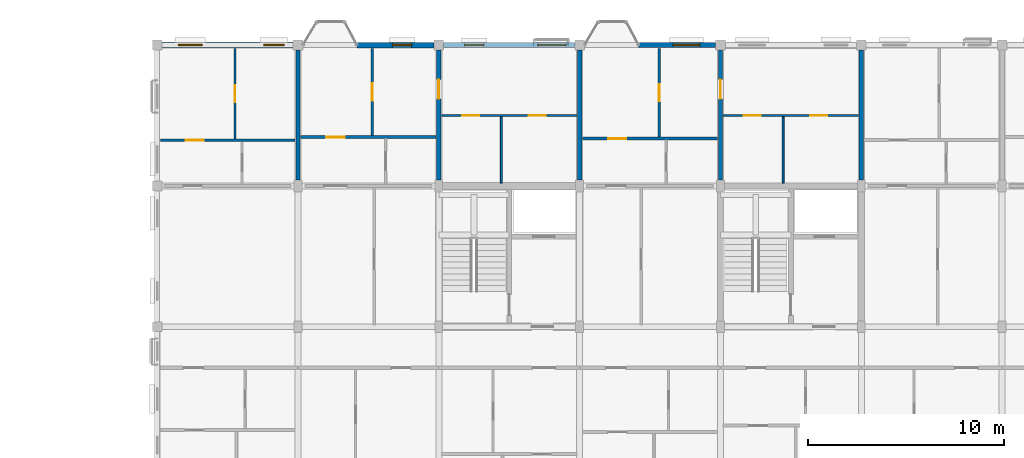
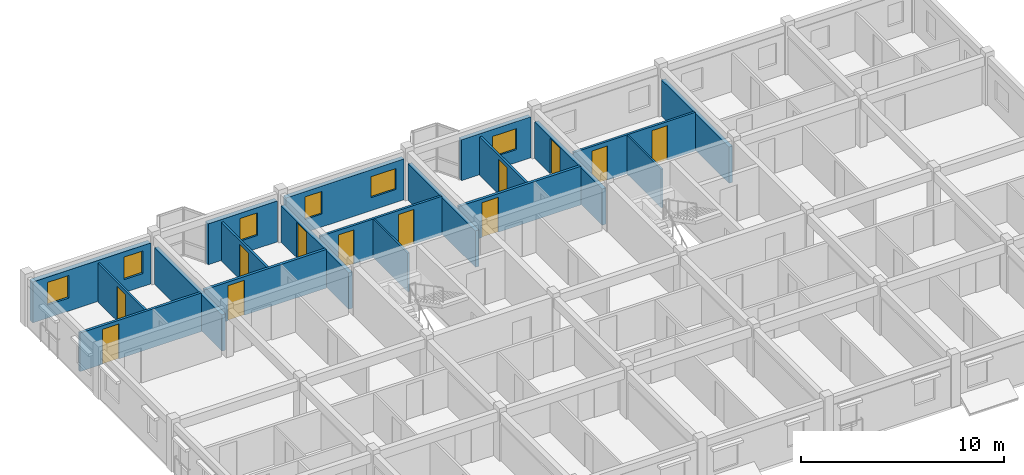
# One storey, part 30 of 38: 19 walls, 12 doors, 6 windows, 18 openings.
"""IFC4 building model written with IfcOpenShell, lengths in metres."""

from ifc_helpers import new_model, si_unit, direction, frame, frame_2d, origin, place, context, subcontext, project, spatial, rectangle, extrude, material, layer, layer_set, type_object, element, fill, save


model = new_model("IFC4")

# Units and contexts
model_context = context("Model", 3, precision=1e-05, world=origin(), true_north=direction((0.0, 1.0)))
body_context = subcontext(model_context, "Body", "Model", "MODEL_VIEW")
ifc_project = project(units=[si_unit("LENGTHUNIT", "METRE"), si_unit("AREAUNIT", "SQUARE_METRE"), si_unit("VOLUMEUNIT", "CUBIC_METRE"), si_unit("PLANEANGLEUNIT", "RADIAN"), si_unit("MASSUNIT", "GRAM", prefix="KILO"), si_unit("THERMODYNAMICTEMPERATUREUNIT", "KELVIN"), si_unit("POWERUNIT", "WATT")], contexts=[model_context])

# Site, building, storey
site_placement = place(None, origin())
site = spatial("IfcSite", under=ifc_project, at=site_placement, CompositionType="ELEMENT")
building_placement = place(site_placement, origin())
building = spatial("IfcBuilding", under=site, at=building_placement, Name="Tavuni Mirador Residences", CompositionType="ELEMENT")
storey_placement = place(building_placement, frame((0.0, 0.0, 32.85009765625)))
storey = spatial("IfcBuildingStorey", under=building, at=storey_placement, Name="L10", CompositionType="ELEMENT", Elevation=32.85009765625)

# Wall, opening, window
ifc_material_1 = material(Name="Sgraffito lime-rendered precast concrete C40/50", Category="concrete")
ifc_layer_1 = layer(ifc_material_1, 0.2451171875, Name="Sgraffito lime-rendered precast concrete C40/50", Category="concrete")
ifc_layer_set_1 = layer_set([ifc_layer_1], Name="Sgraffito lime-rendered precast concrete C40/50")
wall_type_1 = type_object("IfcWallType", Name="WT-EXT-PC245", PredefinedType="SOLIDWALL", material=ifc_layer_set_1)
wall_1_placement = place(storey_placement, frame((39.35009765625, 172.800048828125, 0.0), z_axis=(0.0, 0.0, 1.0), x_axis=(-1.0, 0.0, 0.0)))
wall_1 = element("IfcWall", 1, at=wall_1_placement, inside=storey, type_object=wall_type_1, Name="EW-BLK-C-L10-N03", PredefinedType="SOLIDWALL", context=body_context, shape_type="SweptSolid", body=[
    extrude(rectangle(XDim=3.93017578125, YDim=0.2451171875, at=frame_2d((1.965087890625, 0.0))), origin(), (0.0, 0.0, 1.0), 2.454833984375),
])
opening_1_placement = place(wall_1_placement, frame((0.81005859375, 0.0, 0.780029296875)))
opening_1 = element("IfcOpeningElement", 2, at=opening_1_placement, cuts=wall_1, Name="Opening WN-15", PredefinedType="OPENING", context=body_context, shape_type="SweptSolid", body=[
    extrude(rectangle(XDim=1.360107421875, YDim=1.260009765625, at=frame_2d((0.68017578125, 0.6298828125))), frame((0.0, 0.132568359375, 0.0), z_axis=(0.0, -1.0, 0.0), x_axis=(1.0, 0.0, 0.0)), (0.0, 0.0, 1.0), 0.26513671875),
])
ifc_material_2 = material(Name="Laminated solar-control glass", Category="glass")
window_type_1 = type_object("IfcWindowType", Name="WNT-15", PartitioningType="SINGLE_PANEL", PredefinedType="WINDOW", material=ifc_material_2)
window_1_placement = place(opening_1_placement, origin())
window_1 = element("IfcWindow", 3, at=window_1_placement, inside=storey, type_object=window_type_1, Name="WIN-1294", OverallHeight=1.260009765625, OverallWidth=1.360107421875, PartitioningType="SINGLE_PANEL", PredefinedType="WINDOW", context=body_context, shape_type="SweptSolid", body=[
    extrude(rectangle(XDim=1.360107421875, YDim=1.260009765625, at=frame_2d((0.68017578125, 0.6298828125))), frame((0.0, 0.030029296875, 0.0), z_axis=(0.0, -1.0, 0.0), x_axis=(1.0, 0.0, 0.0)), (0.0, 0.0, 1.0), 0.06005859375),
])
fill(opening_1, window_1)

# Wall, openings, windows
ifc_layer_2 = layer(ifc_material_1, 0.2548828125, Name="Sgraffito lime-rendered precast concrete C40/50", Category="concrete")
ifc_layer_set_2 = layer_set([ifc_layer_2], Name="Sgraffito lime-rendered precast concrete C40/50")
wall_type_2 = type_object("IfcWallType", Name="WT-EXT-PC255", PredefinedType="SOLIDWALL", material=ifc_layer_set_2)
wall_2_placement = place(storey_placement, frame((32.14990234375, 172.800048828125, 0.0), z_axis=(0.0, 0.0, 1.0), x_axis=(-1.0, 0.0, 0.0)))
wall_2 = element("IfcWall", 4, at=wall_2_placement, inside=storey, type_object=wall_type_2, Name="EW-BLK-C-L10-N02", PredefinedType="SOLIDWALL", context=body_context, shape_type="SweptSolid", body=[
    extrude(rectangle(XDim=6.699951171875, YDim=0.2548828125, at=frame_2d((3.35009765625, 0.0))), origin(), (0.0, 0.0, 1.0), 2.454833984375),
])
opening_2_placement = place(wall_2_placement, frame((0.449951171875, 0.0, 0.780029296875)))
opening_2 = element("IfcOpeningElement", 5, at=opening_2_placement, cuts=wall_2, Name="Opening WN-16", PredefinedType="OPENING", context=body_context, shape_type="SweptSolid", body=[
    extrude(rectangle(XDim=1.43994140625, YDim=1.260009765625, at=frame_2d((0.719970703125, 0.6298828125))), frame((0.0, 0.137451171875, 0.0), z_axis=(0.0, -1.0, 0.0), x_axis=(1.0, 0.0, 0.0)), (0.0, 0.0, 1.0), 0.27490234375),
])
opening_3_placement = place(wall_2_placement, frame((4.64990234375, 0.0, 0.780029296875)))
opening_3 = element("IfcOpeningElement", 6, at=opening_3_placement, cuts=wall_2, Name="Opening WN-18", PredefinedType="OPENING", context=body_context, shape_type="SweptSolid", body=[
    extrude(rectangle(XDim=0.97998046875, YDim=1.360107421875, at=frame_2d((0.489990234375, 0.68017578125))), frame((0.0, 0.137451171875, 0.0), z_axis=(0.0, -1.0, 0.0), x_axis=(1.0, 0.0, 0.0)), (0.0, 0.0, 1.0), 0.27490234375),
])
window_type_2 = type_object("IfcWindowType", Name="WNT-16", PartitioningType="SINGLE_PANEL", PredefinedType="WINDOW", material=ifc_material_2)
window_2_placement = place(opening_2_placement, origin())
window_2 = element("IfcWindow", 7, at=window_2_placement, inside=storey, type_object=window_type_2, Name="WIN-1295", OverallHeight=1.260009765625, OverallWidth=1.43994140625, PartitioningType="SINGLE_PANEL", PredefinedType="WINDOW", context=body_context, shape_type="SweptSolid", body=[
    extrude(rectangle(XDim=1.43994140625, YDim=1.260009765625, at=frame_2d((0.719970703125, 0.6298828125))), frame((0.0, 0.030029296875, 0.0), z_axis=(0.0, -1.0, 0.0), x_axis=(1.0, 0.0, 0.0)), (0.0, 0.0, 1.0), 0.06005859375),
])
fill(opening_2, window_2)
window_type_3 = type_object("IfcWindowType", Name="WNT-18", PartitioningType="SINGLE_PANEL", PredefinedType="WINDOW", material=ifc_material_2)
window_3_placement = place(opening_3_placement, origin())
window_3 = element("IfcWindow", 8, at=window_3_placement, inside=storey, type_object=window_type_3, Name="WIN-1296", OverallHeight=1.360107421875, OverallWidth=0.97998046875, PartitioningType="SINGLE_PANEL", PredefinedType="WINDOW", context=body_context, shape_type="SweptSolid", body=[
    extrude(rectangle(XDim=0.97998046875, YDim=1.360107421875, at=frame_2d((0.489990234375, 0.68017578125))), frame((0.0, 0.030029296875, 0.0), z_axis=(0.0, -1.0, 0.0), x_axis=(1.0, 0.0, 0.0)), (0.0, 0.0, 1.0), 0.06005859375),
])
fill(opening_3, window_3)

# Wall, opening, window
ifc_layer_3 = layer(ifc_material_1, 0.27490234375, Name="Sgraffito lime-rendered precast concrete C40/50", Category="concrete")
ifc_layer_set_3 = layer_set([ifc_layer_3], Name="Sgraffito lime-rendered precast concrete C40/50")
wall_type_3 = type_object("IfcWallType", Name="WT-EXT-PC275", PredefinedType="SOLIDWALL", material=ifc_layer_set_3)
wall_3_placement = place(storey_placement, frame((24.949951171875, 172.800048828125, 0.0), z_axis=(0.0, 0.0, 1.0), x_axis=(-1.0, 0.0, 0.0)))
wall_3 = element("IfcWall", 9, at=wall_3_placement, inside=storey, type_object=wall_type_3, Name="EW-BLK-C-L10-N01", PredefinedType="SOLIDWALL", context=body_context, shape_type="SweptSolid", body=[
    extrude(rectangle(XDim=3.929931640625, YDim=0.27490234375, at=frame_2d((1.96484375, 0.0))), origin(), (0.0, 0.0, 1.0), 2.454833984375),
])
opening_4_placement = place(wall_3_placement, frame((1.139892578125, 0.0, 0.780029296875)))
opening_4 = element("IfcOpeningElement", 10, at=opening_4_placement, cuts=wall_3, Name="Opening WN-18", PredefinedType="OPENING", context=body_context, shape_type="SweptSolid", body=[
    extrude(rectangle(XDim=0.97998046875, YDim=1.360107421875, at=frame_2d((0.489990234375, 0.68017578125))), frame((0.0, 0.1474609375, 0.0), z_axis=(0.0, -1.0, 0.0), x_axis=(1.0, 0.0, 0.0)), (0.0, 0.0, 1.0), 0.294921875),
])
window_4_placement = place(opening_4_placement, origin())
window_4 = element("IfcWindow", 11, at=window_4_placement, inside=storey, type_object=window_type_3, Name="WIN-1297", OverallHeight=1.360107421875, OverallWidth=0.97998046875, PartitioningType="SINGLE_PANEL", PredefinedType="WINDOW", context=body_context, shape_type="SweptSolid", body=[
    extrude(rectangle(XDim=0.97998046875, YDim=1.360107421875, at=frame_2d((0.489990234375, 0.68017578125))), frame((0.0, 0.030029296875, 0.0), z_axis=(0.0, -1.0, 0.0), x_axis=(1.0, 0.0, 0.0)), (0.0, 0.0, 1.0), 0.06005859375),
])
fill(opening_4, window_4)

# Wall, openings, windows
ifc_layer_4 = layer(ifc_material_1, 0.2900390625, Name="Sgraffito lime-rendered precast concrete C40/50", Category="concrete")
ifc_layer_set_4 = layer_set([ifc_layer_4], Name="Sgraffito lime-rendered precast concrete C40/50")
wall_type_4 = type_object("IfcWallType", Name="WT-EXT-PC290", PredefinedType="SOLIDWALL", material=ifc_layer_set_4)
wall_4_placement = place(storey_placement, frame((17.75, 172.800048828125, 0.0), z_axis=(0.0, 0.0, 1.0), x_axis=(-1.0, 0.0, 0.0)))
wall_4 = element("IfcWall", 12, at=wall_4_placement, inside=storey, type_object=wall_type_4, Name="EW-BLK-C-L10-N00", PredefinedType="SOLIDWALL", context=body_context, shape_type="SweptSolid", body=[
    extrude(rectangle(XDim=6.699951171875, YDim=0.2900390625, at=frame_2d((3.35009765625, 0.0))), origin(), (0.0, 0.0, 1.0), 2.454833984375),
])
opening_5_placement = place(wall_4_placement, frame((0.449951171875, 0.0, 0.780029296875)))
opening_5 = element("IfcOpeningElement", 13, at=opening_5_placement, cuts=wall_4, Name="Opening WN-19", PredefinedType="OPENING", context=body_context, shape_type="SweptSolid", body=[
    extrude(rectangle(XDim=1.06005859375, YDim=1.360107421875, at=frame_2d((0.530029296875, 0.68017578125))), frame((0.0, 0.155029296875, 0.0), z_axis=(0.0, -1.0, 0.0), x_axis=(1.0, 0.0, 0.0)), (0.0, 0.0, 1.0), 0.31005859375),
])
opening_6_placement = place(wall_4_placement, frame((4.64990234375, 0.0, 0.780029296875)))
opening_6 = element("IfcOpeningElement", 14, at=opening_6_placement, cuts=wall_4, Name="Opening WN-21", PredefinedType="OPENING", context=body_context, shape_type="SweptSolid", body=[
    extrude(rectangle(XDim=1.219970703125, YDim=1.360107421875, at=frame_2d((0.60986328125, 0.68017578125))), frame((0.0, 0.155029296875, 0.0), z_axis=(0.0, -1.0, 0.0), x_axis=(1.0, 0.0, 0.0)), (0.0, 0.0, 1.0), 0.31005859375),
])
window_type_4 = type_object("IfcWindowType", Name="WNT-19", PartitioningType="SINGLE_PANEL", PredefinedType="WINDOW", material=ifc_material_2)
window_5_placement = place(opening_5_placement, origin())
window_5 = element("IfcWindow", 15, at=window_5_placement, inside=storey, type_object=window_type_4, Name="WIN-1298", OverallHeight=1.360107421875, OverallWidth=1.06005859375, PartitioningType="SINGLE_PANEL", PredefinedType="WINDOW", context=body_context, shape_type="SweptSolid", body=[
    extrude(rectangle(XDim=1.06005859375, YDim=1.360107421875, at=frame_2d((0.530029296875, 0.68017578125))), frame((0.0, 0.030029296875, 0.0), z_axis=(0.0, -1.0, 0.0), x_axis=(1.0, 0.0, 0.0)), (0.0, 0.0, 1.0), 0.06005859375),
])
fill(opening_5, window_5)
window_type_5 = type_object("IfcWindowType", Name="WNT-21", PartitioningType="SINGLE_PANEL", PredefinedType="WINDOW", material=ifc_material_2)
window_6_placement = place(opening_6_placement, origin())
window_6 = element("IfcWindow", 16, at=window_6_placement, inside=storey, type_object=window_type_5, Name="WIN-1299", OverallHeight=1.360107421875, OverallWidth=1.219970703125, PartitioningType="SINGLE_PANEL", PredefinedType="WINDOW", context=body_context, shape_type="SweptSolid", body=[
    extrude(rectangle(XDim=1.219970703125, YDim=1.360107421875, at=frame_2d((0.60986328125, 0.68017578125))), frame((0.0, 0.030029296875, 0.0), z_axis=(0.0, -1.0, 0.0), x_axis=(1.0, 0.0, 0.0)), (0.0, 0.0, 1.0), 0.06005859375),
])
fill(opening_6, window_6)

# Walls
ifc_material_3 = material(Name="Acoustic gypsum and concrete block partition", Category="concrete")
ifc_layer_5 = layer(ifc_material_3, 0.094970703125, Name="Acoustic gypsum and concrete block partition", Category="concrete")
ifc_layer_set_5 = layer_set([ifc_layer_5], Name="Acoustic gypsum and concrete block partition")
wall_type_5 = type_object("IfcWallType", Name="WT-PART095", PredefinedType="PARTITIONING", material=ifc_layer_set_5)
for number, where, z_axis, x_axis, name in (
    (17, (28.39990234375, 165.739990234375, 0.0), (0.0, 0.0, 1.0), (0.0, 1.0, 0.0), "PW-BLK-C-L10-NC02-V"),
    (18, (42.800048828125, 165.739990234375, 0.0), (0.0, 0.0, 1.0), (0.0, 1.0, 0.0), "PW-BLK-C-L10-NC04-V"),
):
    element("IfcWall", number, at=place(storey_placement, frame(where, z_axis=z_axis, x_axis=x_axis)), inside=storey, type_object=wall_type_5, Name=name, PredefinedType="PARTITIONING", context=body_context, shape_type="SweptSolid", body=[
        extrude(rectangle(XDim=3.389892578125, YDim=0.094970703125, at=frame_2d((1.69482421875, 0.0))), origin(), (0.0, 0.0, 1.0), 2.31982421875),
    ])

# Wall, opening, door
ifc_layer_6 = layer(ifc_material_3, 0.114990234375, Name="Acoustic gypsum and concrete block partition", Category="concrete")
ifc_layer_set_6 = layer_set([ifc_layer_6], Name="Acoustic gypsum and concrete block partition")
wall_type_6 = type_object("IfcWallType", Name="WT-PART115", PredefinedType="PARTITIONING", material=ifc_layer_set_6)
wall_5_placement = place(storey_placement, frame((14.780029296875, 168.010009765625, 0.0), z_axis=(0.0, 0.0, 1.0), x_axis=(0.0, 1.0, 0.0)))
wall_5 = element("IfcWall", 19, at=wall_5_placement, inside=storey, type_object=wall_type_6, Name="PW-BLK-C-L10-N00-OUT", PredefinedType="PARTITIONING", context=body_context, shape_type="SweptSolid", body=[
    extrude(rectangle(XDim=4.614990234375, YDim=0.114990234375, at=frame_2d((2.3076171875, 0.0))), origin(), (0.0, 0.0, 1.0), 2.31982421875),
])
opening_7_placement = place(wall_5_placement, frame((1.867431640625, 0.0, 0.0)))
opening_7 = element("IfcOpeningElement", 20, at=opening_7_placement, cuts=wall_5, Name="Opening D-08", PredefinedType="OPENING", context=body_context, shape_type="SweptSolid", body=[
    extrude(rectangle(XDim=0.8798828125, YDim=2.080078125, at=frame_2d((0.43994140625, 1.0400390625))), frame((0.0, 0.0673828125, 0.0), z_axis=(0.0, -1.0, 0.0), x_axis=(1.0, 0.0, 0.0)), (0.0, 0.0, 1.0), 0.135009765625),
])
ifc_material_4 = material(Name="Solid core iroko timber", Category="wood")
door_type_1 = type_object("IfcDoorType", Name="DT-BED880", OperationType="NOTDEFINED", PredefinedType="DOOR", material=ifc_material_4)
door_1_placement = place(opening_7_placement, origin())
door_1 = element("IfcDoor", 21, at=door_1_placement, inside=storey, type_object=door_type_1, Name="DR-4158", OperationType="SINGLE_SWING_LEFT", OverallHeight=2.080078125, OverallWidth=0.8798828125, PredefinedType="DOOR", context=body_context, shape_type="SweptSolid", body=[
    extrude(rectangle(XDim=0.8798828125, YDim=2.080078125, at=frame_2d((0.43994140625, 1.0400390625))), frame((0.0, 0.02490234375, 0.0), z_axis=(0.0, -1.0, 0.0), x_axis=(1.0, 0.0, 0.0)), (0.0, 0.0, 1.0), 0.050048828125),
])
fill(opening_7, door_1)

ifc_layer_7 = layer(ifc_material_3, 0.125, Name="Acoustic gypsum and concrete block partition", Category="concrete")
ifc_layer_set_7 = layer_set([ifc_layer_7], Name="Acoustic gypsum and concrete block partition")
wall_type_7 = type_object("IfcWallType", Name="WT-PART125", PredefinedType="PARTITIONING", material=ifc_layer_set_7)
wall_6_placement = place(storey_placement, frame((21.800048828125, 168.169921875, 0.0), z_axis=(0.0, 0.0, 1.0), x_axis=(0.0, 1.0, 0.0)))
wall_6 = element("IfcWall", 22, at=wall_6_placement, inside=storey, type_object=wall_type_7, Name="PW-BLK-C-L10-N01-OUT", PredefinedType="PARTITIONING", context=body_context, shape_type="SweptSolid", body=[
    extrude(rectangle(XDim=4.455078125, YDim=0.125, at=frame_2d((2.2275390625, 0.0))), origin(), (0.0, 0.0, 1.0), 2.31982421875),
])
opening_8_placement = place(wall_6_placement, frame((1.777587890625, 0.0, 0.0)))
opening_8 = element("IfcOpeningElement", 23, at=opening_8_placement, cuts=wall_6, Name="Opening D-07", PredefinedType="OPENING", context=body_context, shape_type="SweptSolid", body=[
    extrude(rectangle(XDim=0.89990234375, YDim=2.10009765625, at=frame_2d((0.449951171875, 1.050048828125))), frame((0.0, 0.072509765625, 0.0), z_axis=(0.0, -1.0, 0.0), x_axis=(1.0, 0.0, 0.0)), (0.0, 0.0, 1.0), 0.14501953125),
])
door_type_2 = type_object("IfcDoorType", Name="DT-BED900", OperationType="NOTDEFINED", PredefinedType="DOOR", material=ifc_material_4)
door_2_placement = place(opening_8_placement, origin())
door_2 = element("IfcDoor", 24, at=door_2_placement, inside=storey, type_object=door_type_2, Name="DR-4165", OperationType="SINGLE_SWING_RIGHT", OverallHeight=2.10009765625, OverallWidth=0.89990234375, PredefinedType="DOOR", context=body_context, shape_type="SweptSolid", body=[
    extrude(rectangle(XDim=0.89990234375, YDim=2.10009765625, at=frame_2d((0.449951171875, 1.050048828125))), frame((0.0, 0.02490234375, 0.0), z_axis=(0.0, -1.0, 0.0), x_axis=(1.0, 0.0, 0.0)), (0.0, 0.0, 1.0), 0.050048828125),
])
fill(opening_8, door_2)

# Wall, openings, doors
wall_7_placement = place(storey_placement, frame((25.340087890625, 169.199951171875, 0.0), z_axis=(0.0, 0.0, 1.0), x_axis=(1.0, 0.0, 0.0)))
wall_7 = element("IfcWall", 25, at=wall_7_placement, inside=storey, type_object=wall_type_7, Name="PW-BLK-C-L10-NC02-M", PredefinedType="PARTITIONING", context=body_context, shape_type="SweptSolid", body=[
    extrude(rectangle(XDim=6.919921875, YDim=0.125, at=frame_2d((3.4599609375, 0.0))), origin(), (0.0, 0.0, 1.0), 2.31982421875),
])
opening_9_placement = place(wall_7_placement, frame((1.050048828125, 0.0, 0.0)))
opening_9 = element("IfcOpeningElement", 26, at=opening_9_placement, cuts=wall_7, Name="Opening D-10", PredefinedType="OPENING", context=body_context, shape_type="SweptSolid", body=[
    extrude(rectangle(XDim=0.8701171875, YDim=2.050048828125, at=frame_2d((0.43505859375, 1.02490234375))), frame((0.0, 0.072509765625, 0.0), z_axis=(0.0, -1.0, 0.0), x_axis=(1.0, 0.0, 0.0)), (0.0, 0.0, 1.0), 0.14501953125),
])
opening_10_placement = place(wall_7_placement, frame((4.449951171875, 0.0, 0.0)))
opening_10 = element("IfcOpeningElement", 27, at=opening_10_placement, cuts=wall_7, Name="Opening D-08", PredefinedType="OPENING", context=body_context, shape_type="SweptSolid", body=[
    extrude(rectangle(XDim=0.8798828125, YDim=2.080078125, at=frame_2d((0.43994140625, 1.0400390625))), frame((0.0, 0.072509765625, 0.0), z_axis=(0.0, -1.0, 0.0), x_axis=(1.0, 0.0, 0.0)), (0.0, 0.0, 1.0), 0.14501953125),
])
door_3_placement = place(opening_10_placement, origin())
door_3 = element("IfcDoor", 28, at=door_3_placement, inside=storey, type_object=door_type_1, Name="DR-4172", OperationType="SINGLE_SWING_RIGHT", OverallHeight=2.080078125, OverallWidth=0.8798828125, PredefinedType="DOOR", context=body_context, shape_type="SweptSolid", body=[
    extrude(rectangle(XDim=0.8798828125, YDim=2.080078125, at=frame_2d((0.43994140625, 1.0400390625))), frame((0.0, 0.02490234375, 0.0), z_axis=(0.0, -1.0, 0.0), x_axis=(1.0, 0.0, 0.0)), (0.0, 0.0, 1.0), 0.050048828125),
])
fill(opening_10, door_3)
door_type_3 = type_object("IfcDoorType", Name="DT-WC870", OperationType="NOTDEFINED", PredefinedType="DOOR", material=ifc_material_4)
door_4_placement = place(opening_9_placement, origin())
door_4 = element("IfcDoor", 29, at=door_4_placement, inside=storey, type_object=door_type_3, Name="DR-4171", OperationType="SINGLE_SWING_LEFT", OverallHeight=2.050048828125, OverallWidth=0.8701171875, PredefinedType="DOOR", context=body_context, shape_type="SweptSolid", body=[
    extrude(rectangle(XDim=0.8701171875, YDim=2.050048828125, at=frame_2d((0.43505859375, 1.02490234375))), frame((0.0, 0.02490234375, 0.0), z_axis=(0.0, -1.0, 0.0), x_axis=(1.0, 0.0, 0.0)), (0.0, 0.0, 1.0), 0.050048828125),
])
fill(opening_9, door_4)

# Wall, opening, door
wall_8_placement = place(storey_placement, frame((36.47998046875, 168.090087890625, 0.0), z_axis=(0.0, 0.0, 1.0), x_axis=(0.0, 1.0, 0.0)))
wall_8 = element("IfcWall", 30, at=wall_8_placement, inside=storey, type_object=wall_type_7, Name="PW-BLK-C-L10-N03-OUT", PredefinedType="PARTITIONING", context=body_context, shape_type="SweptSolid", body=[
    extrude(rectangle(XDim=4.534912109375, YDim=0.125, at=frame_2d((2.267578125, 0.0))), origin(), (0.0, 0.0, 1.0), 2.31982421875),
])
opening_11_placement = place(wall_8_placement, frame((1.827392578125, 0.0, 0.0)))
opening_11 = element("IfcOpeningElement", 31, at=opening_11_placement, cuts=wall_8, Name="Opening D-08", PredefinedType="OPENING", context=body_context, shape_type="SweptSolid", body=[
    extrude(rectangle(XDim=0.8798828125, YDim=2.080078125, at=frame_2d((0.43994140625, 1.0400390625))), frame((0.0, 0.072509765625, 0.0), z_axis=(0.0, -1.0, 0.0), x_axis=(1.0, 0.0, 0.0)), (0.0, 0.0, 1.0), 0.14501953125),
])
door_5_placement = place(opening_11_placement, origin())
door_5 = element("IfcDoor", 32, at=door_5_placement, inside=storey, type_object=door_type_1, Name="DR-4177", OperationType="SINGLE_SWING_LEFT", OverallHeight=2.080078125, OverallWidth=0.8798828125, PredefinedType="DOOR", context=body_context, shape_type="SweptSolid", body=[
    extrude(rectangle(XDim=0.8798828125, YDim=2.080078125, at=frame_2d((0.43994140625, 1.0400390625))), frame((0.0, 0.02490234375, 0.0), z_axis=(0.0, -1.0, 0.0), x_axis=(1.0, 0.0, 0.0)), (0.0, 0.0, 1.0), 0.050048828125),
])
fill(opening_11, door_5)

# Wall, openings, doors
wall_9_placement = place(storey_placement, frame((39.739990234375, 169.199951171875, 0.0), z_axis=(0.0, 0.0, 1.0), x_axis=(1.0, 0.0, 0.0)))
wall_9 = element("IfcWall", 33, at=wall_9_placement, inside=storey, type_object=wall_type_7, Name="PW-BLK-C-L10-NC04-M", PredefinedType="PARTITIONING", context=body_context, shape_type="SweptSolid", body=[
    extrude(rectangle(XDim=6.919921875, YDim=0.125, at=frame_2d((3.4599609375, 0.0))), origin(), (0.0, 0.0, 1.0), 2.31982421875),
])
opening_12_placement = place(wall_9_placement, frame((1.050048828125, 0.0, 0.0)))
opening_12 = element("IfcOpeningElement", 34, at=opening_12_placement, cuts=wall_9, Name="Opening D-10", PredefinedType="OPENING", context=body_context, shape_type="SweptSolid", body=[
    extrude(rectangle(XDim=0.8701171875, YDim=2.050048828125, at=frame_2d((0.43505859375, 1.02490234375))), frame((0.0, 0.072509765625, 0.0), z_axis=(0.0, -1.0, 0.0), x_axis=(1.0, 0.0, 0.0)), (0.0, 0.0, 1.0), 0.14501953125),
])
opening_13_placement = place(wall_9_placement, frame((4.449951171875, 0.0, 0.0)))
opening_13 = element("IfcOpeningElement", 35, at=opening_13_placement, cuts=wall_9, Name="Opening D-08", PredefinedType="OPENING", context=body_context, shape_type="SweptSolid", body=[
    extrude(rectangle(XDim=0.8798828125, YDim=2.080078125, at=frame_2d((0.43994140625, 1.0400390625))), frame((0.0, 0.072509765625, 0.0), z_axis=(0.0, -1.0, 0.0), x_axis=(1.0, 0.0, 0.0)), (0.0, 0.0, 1.0), 0.14501953125),
])
door_6_placement = place(opening_13_placement, origin())
door_6 = element("IfcDoor", 36, at=door_6_placement, inside=storey, type_object=door_type_1, Name="DR-4184", OperationType="SINGLE_SWING_RIGHT", OverallHeight=2.080078125, OverallWidth=0.8798828125, PredefinedType="DOOR", context=body_context, shape_type="SweptSolid", body=[
    extrude(rectangle(XDim=0.8798828125, YDim=2.080078125, at=frame_2d((0.43994140625, 1.0400390625))), frame((0.0, 0.02490234375, 0.0), z_axis=(0.0, -1.0, 0.0), x_axis=(1.0, 0.0, 0.0)), (0.0, 0.0, 1.0), 0.050048828125),
])
fill(opening_13, door_6)
door_7_placement = place(opening_12_placement, origin())
door_7 = element("IfcDoor", 37, at=door_7_placement, inside=storey, type_object=door_type_3, Name="DR-4183", OperationType="SINGLE_SWING_LEFT", OverallHeight=2.050048828125, OverallWidth=0.8701171875, PredefinedType="DOOR", context=body_context, shape_type="SweptSolid", body=[
    extrude(rectangle(XDim=0.8701171875, YDim=2.050048828125, at=frame_2d((0.43505859375, 1.02490234375))), frame((0.0, 0.02490234375, 0.0), z_axis=(0.0, -1.0, 0.0), x_axis=(1.0, 0.0, 0.0)), (0.0, 0.0, 1.0), 0.050048828125),
])
fill(opening_12, door_7)

# Wall, opening, door
ifc_layer_8 = layer(ifc_material_3, 0.139892578125, Name="Acoustic gypsum and concrete block partition", Category="concrete")
ifc_layer_set_8 = layer_set([ifc_layer_8], Name="Acoustic gypsum and concrete block partition")
wall_type_8 = type_object("IfcWallType", Name="WT-PART140", PredefinedType="PARTITIONING", material=ifc_layer_set_8)
wall_10_placement = place(storey_placement, frame((10.97509765625, 167.93994140625, 0.0), z_axis=(0.0, 0.0, 1.0), x_axis=(1.0, 0.0, 0.0)))
wall_10 = element("IfcWall", 38, at=wall_10_placement, inside=storey, type_object=wall_type_8, Name="PW-BLK-C-L10-N00-MID", PredefinedType="PARTITIONING", context=body_context, shape_type="SweptSolid", body=[
    extrude(rectangle(XDim=6.885009765625, YDim=0.139892578125, at=frame_2d((3.4423828125, 0.0))), origin(), (0.0, 0.0, 1.0), 2.31982421875),
])
opening_14_placement = place(wall_10_placement, frame((1.27490234375, 0.0, 0.0)))
opening_14 = element("IfcOpeningElement", 39, at=opening_14_placement, cuts=wall_10, Name="Opening D-06", PredefinedType="OPENING", context=body_context, shape_type="SweptSolid", body=[
    extrude(rectangle(XDim=0.919921875, YDim=2.10009765625, at=frame_2d((0.4599609375, 1.050048828125))), frame((0.0, 0.080078125, 0.0), z_axis=(0.0, -1.0, 0.0), x_axis=(1.0, 0.0, 0.0)), (0.0, 0.0, 1.0), 0.159912109375),
])
door_type_4 = type_object("IfcDoorType", Name="DT-INT920", OperationType="NOTDEFINED", PredefinedType="DOOR", material=ifc_material_4)
door_8_placement = place(opening_14_placement, origin())
door_8 = element("IfcDoor", 40, at=door_8_placement, inside=storey, type_object=door_type_4, Name="DR-4160", OperationType="SINGLE_SWING_RIGHT", OverallHeight=2.10009765625, OverallWidth=0.919921875, PredefinedType="DOOR", context=body_context, shape_type="SweptSolid", body=[
    extrude(rectangle(XDim=0.919921875, YDim=2.10009765625, at=frame_2d((0.4599609375, 1.050048828125))), frame((0.0, 0.02490234375, 0.0), z_axis=(0.0, -1.0, 0.0), x_axis=(1.0, 0.0, 0.0)), (0.0, 0.0, 1.0), 0.050048828125),
])
fill(opening_14, door_8)

ifc_layer_9 = layer(ifc_material_3, 0.14990234375, Name="Acoustic gypsum and concrete block partition", Category="concrete")
ifc_layer_set_9 = layer_set([ifc_layer_9], Name="Acoustic gypsum and concrete block partition")
wall_type_9 = type_object("IfcWallType", Name="WT-PART150", PredefinedType="PARTITIONING", material=ifc_layer_set_9)
wall_11_placement = place(storey_placement, frame((18.139892578125, 168.10009765625, 0.0), z_axis=(0.0, 0.0, 1.0), x_axis=(1.0, 0.0, 0.0)))
wall_11 = element("IfcWall", 41, at=wall_11_placement, inside=storey, type_object=wall_type_9, Name="PW-BLK-C-L10-N01-MID", PredefinedType="PARTITIONING", context=body_context, shape_type="SweptSolid", body=[
    extrude(rectangle(XDim=6.920166015625, YDim=0.14990234375, at=frame_2d((3.4599609375, 0.0))), origin(), (0.0, 0.0, 1.0), 2.31982421875),
])
opening_15_placement = place(wall_11_placement, frame((1.31005859375, 0.0, 0.0)))
opening_15 = element("IfcOpeningElement", 42, at=opening_15_placement, cuts=wall_11, Name="Opening D-05", PredefinedType="OPENING", context=body_context, shape_type="SweptSolid", body=[
    extrude(rectangle(XDim=0.949951171875, YDim=2.10009765625, at=frame_2d((0.47509765625, 1.050048828125))), frame((0.0, 0.0849609375, 0.0), z_axis=(0.0, -1.0, 0.0), x_axis=(1.0, 0.0, 0.0)), (0.0, 0.0, 1.0), 0.169921875),
])
door_type_5 = type_object("IfcDoorType", Name="DT-INT950", OperationType="NOTDEFINED", PredefinedType="DOOR", material=ifc_material_4)
door_9_placement = place(opening_15_placement, origin())
door_9 = element("IfcDoor", 43, at=door_9_placement, inside=storey, type_object=door_type_5, Name="DR-4167", OperationType="SINGLE_SWING_LEFT", OverallHeight=2.10009765625, OverallWidth=0.949951171875, PredefinedType="DOOR", context=body_context, shape_type="SweptSolid", body=[
    extrude(rectangle(XDim=0.949951171875, YDim=2.10009765625, at=frame_2d((0.47509765625, 1.050048828125))), frame((0.0, 0.02490234375, 0.0), z_axis=(0.0, -1.0, 0.0), x_axis=(1.0, 0.0, 0.0)), (0.0, 0.0, 1.0), 0.050048828125),
])
fill(opening_15, door_9)

wall_12_placement = place(storey_placement, frame((32.5400390625, 168.02001953125, 0.0), z_axis=(0.0, 0.0, 1.0), x_axis=(1.0, 0.0, 0.0)))
wall_12 = element("IfcWall", 44, at=wall_12_placement, inside=storey, type_object=wall_type_9, Name="PW-BLK-C-L10-N03-MID", PredefinedType="PARTITIONING", context=body_context, shape_type="SweptSolid", body=[
    extrude(rectangle(XDim=6.919921875, YDim=0.14990234375, at=frame_2d((3.4599609375, 0.0))), origin(), (0.0, 0.0, 1.0), 2.31982421875),
])
opening_16_placement = place(wall_12_placement, frame((1.31005859375, 0.0, 0.0)))
opening_16 = element("IfcOpeningElement", 45, at=opening_16_placement, cuts=wall_12, Name="Opening D-06", PredefinedType="OPENING", context=body_context, shape_type="SweptSolid", body=[
    extrude(rectangle(XDim=0.919921875, YDim=2.10009765625, at=frame_2d((0.4599609375, 1.050048828125))), frame((0.0, 0.0849609375, 0.0), z_axis=(0.0, -1.0, 0.0), x_axis=(1.0, 0.0, 0.0)), (0.0, 0.0, 1.0), 0.169921875),
])
door_10_placement = place(opening_16_placement, origin())
door_10 = element("IfcDoor", 46, at=door_10_placement, inside=storey, type_object=door_type_4, Name="DR-4179", OperationType="SINGLE_SWING_RIGHT", OverallHeight=2.10009765625, OverallWidth=0.919921875, PredefinedType="DOOR", context=body_context, shape_type="SweptSolid", body=[
    extrude(rectangle(XDim=0.919921875, YDim=2.10009765625, at=frame_2d((0.4599609375, 1.050048828125))), frame((0.0, 0.02490234375, 0.0), z_axis=(0.0, -1.0, 0.0), x_axis=(1.0, 0.0, 0.0)), (0.0, 0.0, 1.0), 0.050048828125),
])
fill(opening_16, door_10)

# Wall
ifc_material_5 = material(Name="Precast concrete C40/50", Category="concrete")
ifc_layer_10 = layer(ifc_material_5, 0.215087890625, Name="Precast concrete C40/50", Category="concrete")
ifc_layer_set_10 = layer_set([ifc_layer_10], Name="Precast concrete C40/50")
wall_type_10 = type_object("IfcWallType", Name="WT-XW215", PredefinedType="SOLIDWALL", material=ifc_layer_set_10)
wall_13_placement = place(storey_placement, frame((18.0, 165.89990234375, 0.0), z_axis=(0.0, 0.0, 1.0), x_axis=(0.0, 1.0, 0.0)))
element("IfcWall", 47, at=wall_13_placement, inside=storey, type_object=wall_type_10, Name="XW-BLK-C-L10-N-01", PredefinedType="SOLIDWALL", context=body_context, shape_type="SweptSolid", body=[
    extrude(rectangle(XDim=6.650146484375, YDim=0.215087890625, at=frame_2d((3.3251953125, 0.0))), origin(), (0.0, 0.0, 1.0), 2.184814453125),
])

# Wall, opening, door
wall_14_placement = place(storey_placement, frame((25.199951171875, 165.89990234375, 0.0), z_axis=(0.0, 0.0, 1.0), x_axis=(0.0, 1.0, 0.0)))
wall_14 = element("IfcWall", 48, at=wall_14_placement, inside=storey, type_object=wall_type_10, Name="XW-BLK-C-L10-N-02", PredefinedType="SOLIDWALL", context=body_context, shape_type="SweptSolid", body=[
    extrude(rectangle(XDim=6.650146484375, YDim=0.215087890625, at=frame_2d((3.3251953125, 0.0))), origin(), (0.0, 0.0, 1.0), 2.184814453125),
])
opening_17_placement = place(wall_14_placement, frame((4.14990234375, 0.0, 0.0)))
opening_17 = element("IfcOpeningElement", 49, at=opening_17_placement, cuts=wall_14, Name="Opening D-04", PredefinedType="OPENING", context=body_context, shape_type="SweptSolid", body=[
    extrude(rectangle(XDim=0.97998046875, YDim=2.1201171875, at=frame_2d((0.489990234375, 1.06005859375))), frame((0.0, 0.11767578125, 0.0), z_axis=(0.0, -1.0, 0.0), x_axis=(1.0, 0.0, 0.0)), (0.0, 0.0, 1.0), 0.235107421875),
])
door_type_6 = type_object("IfcDoorType", Name="DT-FD60-980", OperationType="NOTDEFINED", PredefinedType="DOOR", material=ifc_material_4)
door_11_placement = place(opening_17_placement, origin())
door_11 = element("IfcDoor", 50, at=door_11_placement, inside=storey, type_object=door_type_6, Name="DR-4748", OperationType="SINGLE_SWING_LEFT", OverallHeight=2.1201171875, OverallWidth=0.97998046875, PredefinedType="DOOR", context=body_context, shape_type="SweptSolid", body=[
    extrude(rectangle(XDim=0.97998046875, YDim=2.1201171875, at=frame_2d((0.489990234375, 1.06005859375))), frame((0.0, 0.02490234375, 0.0), z_axis=(0.0, -1.0, 0.0), x_axis=(1.0, 0.0, 0.0)), (0.0, 0.0, 1.0), 0.050048828125),
])
fill(opening_17, door_11)

# Wall
wall_15_placement = place(storey_placement, frame((32.39990234375, 165.89990234375, 0.0), z_axis=(0.0, 0.0, 1.0), x_axis=(0.0, 1.0, 0.0)))
element("IfcWall", 51, at=wall_15_placement, inside=storey, type_object=wall_type_10, Name="XW-BLK-C-L10-N-03", PredefinedType="SOLIDWALL", context=body_context, shape_type="SweptSolid", body=[
    extrude(rectangle(XDim=6.650146484375, YDim=0.215087890625, at=frame_2d((3.3251953125, 0.0))), origin(), (0.0, 0.0, 1.0), 2.184814453125),
])

# Wall, opening, door
wall_16_placement = place(storey_placement, frame((39.60009765625, 165.89990234375, 0.0), z_axis=(0.0, 0.0, 1.0), x_axis=(0.0, 1.0, 0.0)))
wall_16 = element("IfcWall", 52, at=wall_16_placement, inside=storey, type_object=wall_type_10, Name="XW-BLK-C-L10-N-04", PredefinedType="SOLIDWALL", context=body_context, shape_type="SweptSolid", body=[
    extrude(rectangle(XDim=6.650146484375, YDim=0.215087890625, at=frame_2d((3.3251953125, 0.0))), origin(), (0.0, 0.0, 1.0), 2.184814453125),
])
opening_18_placement = place(wall_16_placement, frame((4.14990234375, 0.0, 0.0)))
opening_18 = element("IfcOpeningElement", 53, at=opening_18_placement, cuts=wall_16, Name="Opening D-04", PredefinedType="OPENING", context=body_context, shape_type="SweptSolid", body=[
    extrude(rectangle(XDim=0.97998046875, YDim=2.1201171875, at=frame_2d((0.489990234375, 1.06005859375))), frame((0.0, 0.11767578125, 0.0), z_axis=(0.0, -1.0, 0.0), x_axis=(1.0, 0.0, 0.0)), (0.0, 0.0, 1.0), 0.235107421875),
])
door_12_placement = place(opening_18_placement, origin())
door_12 = element("IfcDoor", 54, at=door_12_placement, inside=storey, type_object=door_type_6, Name="DR-4749", OperationType="SINGLE_SWING_RIGHT", OverallHeight=2.1201171875, OverallWidth=0.97998046875, PredefinedType="DOOR", context=body_context, shape_type="SweptSolid", body=[
    extrude(rectangle(XDim=0.97998046875, YDim=2.1201171875, at=frame_2d((0.489990234375, 1.06005859375))), frame((0.0, 0.02490234375, 0.0), z_axis=(0.0, -1.0, 0.0), x_axis=(1.0, 0.0, 0.0)), (0.0, 0.0, 1.0), 0.050048828125),
])
fill(opening_18, door_12)

# Wall
wall_17_placement = place(storey_placement, frame((46.800048828125, 165.89990234375, 0.0), z_axis=(0.0, 0.0, 1.0), x_axis=(0.0, 1.0, 0.0)))
element("IfcWall", 55, at=wall_17_placement, inside=storey, type_object=wall_type_10, Name="XW-BLK-C-L10-N-05", PredefinedType="SOLIDWALL", context=body_context, shape_type="SweptSolid", body=[
    extrude(rectangle(XDim=6.650146484375, YDim=0.215087890625, at=frame_2d((3.3251953125, 0.0))), origin(), (0.0, 0.0, 1.0), 2.184814453125),
])

save(model, "model.ifc")
